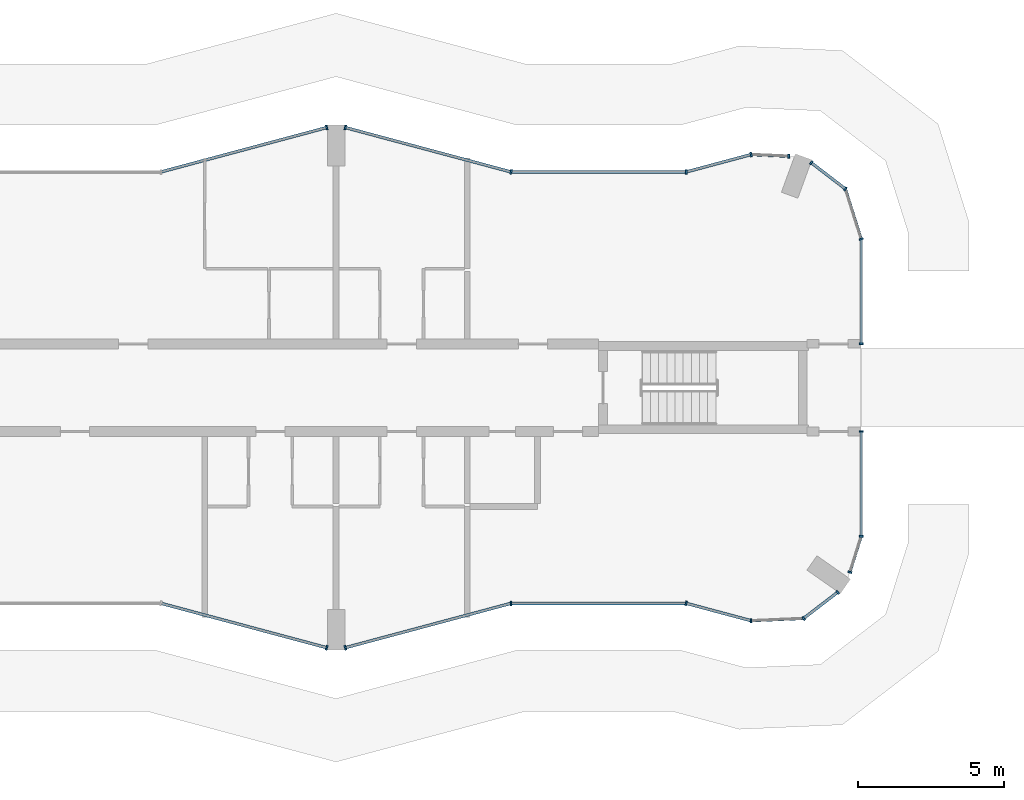
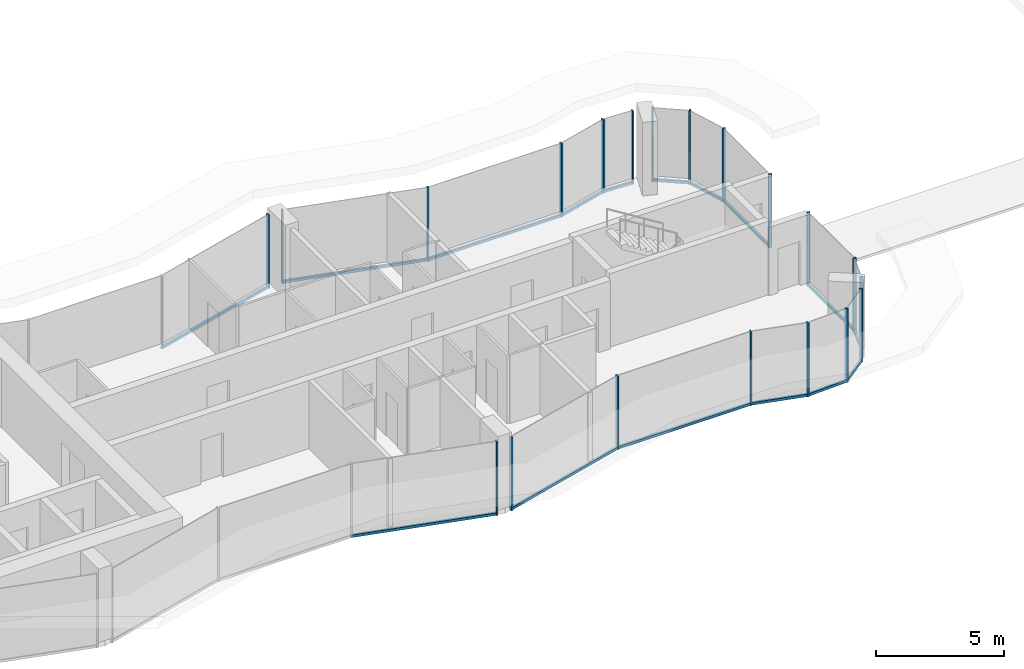
# One storey, part 5 of 24: 36 members, 16 elements without a shape of their own.
"""IFC4 building model written with IfcOpenShell, lengths in metres."""

from ifc_helpers import new_model, si_unit, direction, frame, origin, origin_2d, place, context, subcontext, project, spatial, rectangle, extrude, material, layer, layer_set, material_profile, profile_set, type_object, element, aggregate, save


model = new_model("IFC4")

# Units and contexts
model_context = context("Model", 3, precision=1e-05, world=origin(), true_north=direction((0.0, 1.0)))
body_context = subcontext(model_context, "Body", "Model", "MODEL_VIEW")
ifc_project = project(units=[si_unit("LENGTHUNIT", "METRE"), si_unit("AREAUNIT", "SQUARE_METRE"), si_unit("VOLUMEUNIT", "CUBIC_METRE"), si_unit("PLANEANGLEUNIT", "RADIAN"), si_unit("MASSUNIT", "GRAM", prefix="KILO")], contexts=[model_context])

# Site, building, storey
site_placement = place(None, origin())
site = spatial("IfcSite", under=ifc_project, at=site_placement, CompositionType="ELEMENT")
building_placement = place(site_placement, origin())
building = spatial("IfcBuilding", under=site, at=building_placement, Name="Plateau Cross Towers", CompositionType="ELEMENT")
storey_placement = place(building_placement, frame((0.0, 0.0, 30.300048828125)))
storey = spatial("IfcBuildingStorey", under=building, at=storey_placement, Name="L06", CompositionType="ELEMENT", Elevation=30.300048828125)

# Curtain wall, member
ifc_material_1 = material(Name="Dark low-iron glass", Category="glass")
ifc_layer_1 = layer(ifc_material_1, 0.239990234375)
ifc_layer_set_1 = layer_set([ifc_layer_1], Name="Dark low-iron glass")
curtain_wall_type_1 = type_object("IfcCurtainWallType", Name="Curtain wall flush unitised CW-B", PredefinedType="NOTDEFINED", material=ifc_layer_set_1)
curtain_wall_1_placement = place(storey_placement, origin())
curtain_wall_1 = element("IfcCurtainWall", 1, at=curtain_wall_1_placement, inside=storey, type_object=curtain_wall_type_1, Name="ENV/A/L06/A502_10", PredefinedType="NOTDEFINED")
ifc_material_2 = material(Name="Black anodised aluminium", Category="aluminium")
ifc_material_profile_1 = material_profile(ifc_material_2, rectangle(XDim=0.06005859375, YDim=0.139892578125, at=origin_2d()), Name="MULLION 60x140")
ifc_profile_set_1 = profile_set([ifc_material_profile_1], Name="Black anodised aluminium")
member_type_1 = type_object("IfcMemberType", Name="Mullion 60x140 flush unitised", PredefinedType="MULLION", material=ifc_profile_set_1)
member_1_placement = place(storey_placement, frame((50.223876953125, 1.01123046875, -0.25), z_axis=(0.0, 0.0, 1.0), x_axis=(0.999043701491, 0.043722791671, 0.0)))
member_1 = element("IfcMember", 2, at=member_1_placement, type_object=member_type_1, Name="CW-B mullion 1", PredefinedType="MULLION", context=body_context, shape_type="SweptSolid", body=[
    extrude(rectangle(XDim=0.06005859375, YDim=0.139892578125, at=origin_2d()), origin(), (0.0, 0.0, 1.0), 3.5),
])

# Curtain wall, members
curtain_wall_2_placement = place(storey_placement, origin())
curtain_wall_2 = element("IfcCurtainWall", 3, at=curtain_wall_2_placement, inside=storey, type_object=curtain_wall_type_1, Name="ENV/A/L06/A520_11", PredefinedType="NOTDEFINED")
member_2_placement = place(storey_placement, frame((52.0263671875, 1.090087890625, -0.25), z_axis=(0.0, 0.0, 1.0), x_axis=(0.793315514529, 0.608810721331, 0.0)))
member_2 = element("IfcMember", 4, at=member_2_placement, type_object=member_type_1, Name="CW-B mullion 1", PredefinedType="MULLION", context=body_context, shape_type="SweptSolid", body=[
    extrude(rectangle(XDim=0.06005859375, YDim=0.139892578125, at=origin_2d()), origin(), (0.0, 0.0, 1.0), 3.5),
])
member_3_placement = place(storey_placement, frame((53.193603515625, 1.986083984375, -0.25), z_axis=(0.0, 0.0, 1.0), x_axis=(0.793315514529, 0.608810721331, 0.0)))
member_3 = element("IfcMember", 5, at=member_3_placement, type_object=member_type_1, Name="CW-B mullion 2", PredefinedType="MULLION", context=body_context, shape_type="SweptSolid", body=[
    extrude(rectangle(XDim=0.06005859375, YDim=0.139892578125, at=origin_2d()), origin(), (0.0, 0.0, 1.0), 3.5),
])

# Curtain wall, member
curtain_wall_3_placement = place(storey_placement, origin())
curtain_wall_3 = element("IfcCurtainWall", 6, at=curtain_wall_3_placement, inside=storey, type_object=curtain_wall_type_1, Name="ENV/A/L06/A536_27", PredefinedType="NOTDEFINED")
member_4_placement = place(storey_placement, frame((53.611083984375, 2.67529296875, -0.25), z_axis=(0.0, 0.0, 1.0), x_axis=(0.300686174994, 0.95372313811, 0.0)))
member_4 = element("IfcMember", 7, at=member_4_placement, type_object=member_type_1, Name="CW-B mullion 1", PredefinedType="MULLION", context=body_context, shape_type="SweptSolid", body=[
    extrude(rectangle(XDim=0.06005859375, YDim=0.139892578125, at=origin_2d()), origin(), (0.0, 0.0, 1.0), 3.5),
])

# Curtain wall, members
curtain_wall_4_placement = place(storey_placement, origin())
curtain_wall_4 = element("IfcCurtainWall", 8, at=curtain_wall_4_placement, inside=storey, type_object=curtain_wall_type_1, Name="ENV/A/L06/A540_39", PredefinedType="NOTDEFINED")
member_5_placement = place(storey_placement, frame((54.0, 3.9091796875, -0.25), z_axis=(0.0, 0.0, 1.0), x_axis=(0.0, 1.0, 0.0)))
member_5 = element("IfcMember", 9, at=member_5_placement, type_object=member_type_1, Name="CW-B mullion 1", PredefinedType="MULLION", context=body_context, shape_type="SweptSolid", body=[
    extrude(rectangle(XDim=0.06005859375, YDim=0.139892578125, at=origin_2d()), origin(), (0.0, 0.0, 1.0), 3.5),
])
member_6_placement = place(storey_placement, frame((54.0, 7.5, -0.25), z_axis=(0.0, 0.0, 1.0), x_axis=(0.0, 1.0, 0.0)))
member_6 = element("IfcMember", 10, at=member_6_placement, type_object=member_type_1, Name="CW-B mullion 2", PredefinedType="MULLION", context=body_context, shape_type="SweptSolid", body=[
    extrude(rectangle(XDim=0.06005859375, YDim=0.139892578125, at=origin_2d()), origin(), (0.0, 0.0, 1.0), 3.5),
])

# Curtain wall, member
curtain_wall_5_placement = place(storey_placement, origin())
curtain_wall_5 = element("IfcCurtainWall", 11, at=curtain_wall_5_placement, inside=storey, type_object=curtain_wall_type_1, Name="ENV/A/L06/A540_105", PredefinedType="NOTDEFINED")
member_7_placement = place(storey_placement, frame((54.0, 10.5, -0.25), z_axis=(0.0, 0.0, 1.0), x_axis=(0.0, 1.0, 0.0)))
member_7 = element("IfcMember", 12, at=member_7_placement, type_object=member_type_1, Name="CW-B mullion 1", PredefinedType="MULLION", context=body_context, shape_type="SweptSolid", body=[
    extrude(rectangle(XDim=0.06005859375, YDim=0.139892578125, at=origin_2d()), origin(), (0.0, 0.0, 1.0), 3.5),
])

curtain_wall_6_placement = place(storey_placement, origin())
curtain_wall_6 = element("IfcCurtainWall", 13, at=curtain_wall_6_placement, inside=storey, type_object=curtain_wall_type_1, Name="ENV/A/L06/A540_141", PredefinedType="NOTDEFINED")
member_8_placement = place(storey_placement, frame((54.0, 14.0908203125, -0.25), z_axis=(0.0, 0.0, 1.0), x_axis=(-0.300686174994, 0.95372313811, 0.0)))
member_8 = element("IfcMember", 14, at=member_8_placement, type_object=member_type_1, Name="CW-B mullion 1", PredefinedType="MULLION", context=body_context, shape_type="SweptSolid", body=[
    extrude(rectangle(XDim=0.06005859375, YDim=0.139892578125, at=origin_2d()), origin(), (0.0, 0.0, 1.0), 3.5),
])

# Curtain wall, members
curtain_wall_7_placement = place(storey_placement, origin())
curtain_wall_7 = element("IfcCurtainWall", 15, at=curtain_wall_7_placement, inside=storey, type_object=curtain_wall_type_1, Name="ENV/A/L06/A535_158", PredefinedType="NOTDEFINED")
member_9_placement = place(storey_placement, frame((53.45751953125, 15.8115234375, -0.25), z_axis=(0.0, 0.0, 1.0), x_axis=(-0.793315514529, 0.608810721331, 0.0)))
member_9 = element("IfcMember", 16, at=member_9_placement, type_object=member_type_1, Name="CW-B mullion 1", PredefinedType="MULLION", context=body_context, shape_type="SweptSolid", body=[
    extrude(rectangle(XDim=0.06005859375, YDim=0.139892578125, at=origin_2d()), origin(), (0.0, 0.0, 1.0), 3.5),
])
member_10_placement = place(storey_placement, frame((52.290283203125, 16.707275390625, -0.25), z_axis=(0.0, 0.0, 1.0), x_axis=(-0.793315514529, 0.608810721331, 0.0)))
member_10 = element("IfcMember", 17, at=member_10_placement, type_object=member_type_1, Name="CW-B mullion 2", PredefinedType="MULLION", context=body_context, shape_type="SweptSolid", body=[
    extrude(rectangle(XDim=0.06005859375, YDim=0.139892578125, at=origin_2d()), origin(), (0.0, 0.0, 1.0), 3.5),
])

# Curtain wall, member
curtain_wall_8_placement = place(storey_placement, origin())
curtain_wall_8 = element("IfcCurtainWall", 18, at=curtain_wall_8_placement, inside=storey, type_object=curtain_wall_type_1, Name="ENV/A/L06/A515_169", PredefinedType="NOTDEFINED")
member_11_placement = place(storey_placement, frame((51.516357421875, 16.93212890625, -0.25), z_axis=(0.0, 0.0, 1.0), x_axis=(-0.999043701491, 0.043722791671, 0.0)))
member_11 = element("IfcMember", 19, at=member_11_placement, type_object=member_type_1, Name="CW-B mullion 1", PredefinedType="MULLION", context=body_context, shape_type="SweptSolid", body=[
    extrude(rectangle(XDim=0.06005859375, YDim=0.139892578125, at=origin_2d()), origin(), (0.0, 0.0, 1.0), 3.5),
])

ifc_layer_2 = layer(ifc_material_1, 0.260009765625)
ifc_layer_set_2 = layer_set([ifc_layer_2], Name="Dark low-iron glass")
curtain_wall_type_2 = type_object("IfcCurtainWallType", Name="Curtain wall fluted unitised CW-A", PredefinedType="NOTDEFINED", material=ifc_layer_set_2)
curtain_wall_9_placement = place(storey_placement, origin())
curtain_wall_9 = element("IfcCurtainWall", 20, at=curtain_wall_9_placement, inside=storey, type_object=curtain_wall_type_2, Name="ENV/A/L06/A300_16", PredefinedType="NOTDEFINED")
ifc_material_profile_2 = material_profile(ifc_material_2, rectangle(XDim=0.06005859375, YDim=0.159912109375, at=origin_2d()), Name="MULLION 60x160")
ifc_profile_set_2 = profile_set([ifc_material_profile_2], Name="Black anodised aluminium")
member_type_2 = type_object("IfcMemberType", Name="Mullion 60x160 fluted unitised", PredefinedType="MULLION", material=ifc_profile_set_2)
member_12_placement = place(storey_placement, frame((35.68212890625, 0.085205078125, -0.25), z_axis=(0.0, 0.0, 1.0), x_axis=(0.965957983404, -0.258699003279, 0.0)))
member_12 = element("IfcMember", 21, at=member_12_placement, type_object=member_type_2, Name="CW-A mullion 2", PredefinedType="MULLION", context=body_context, shape_type="SweptSolid", body=[
    extrude(rectangle(XDim=0.06005859375, YDim=0.159912109375, at=origin_2d()), origin(), (0.0, 0.0, 1.0), 3.5),
])

curtain_wall_10_placement = place(storey_placement, origin())
curtain_wall_10 = element("IfcCurtainWall", 22, at=curtain_wall_10_placement, inside=storey, type_object=curtain_wall_type_2, Name="ENV/A/L06/A363_1", PredefinedType="NOTDEFINED")
member_13_placement = place(storey_placement, frame((36.31787109375, 0.085205078125, -0.25), z_axis=(0.0, 0.0, 1.0), x_axis=(0.965957983404, 0.258699003279, 0.0)))
member_13 = element("IfcMember", 23, at=member_13_placement, type_object=member_type_2, Name="CW-A mullion 1", PredefinedType="MULLION", context=body_context, shape_type="SweptSolid", body=[
    extrude(rectangle(XDim=0.06005859375, YDim=0.159912109375, at=origin_2d()), origin(), (0.0, 0.0, 1.0), 3.5),
])

curtain_wall_11_placement = place(storey_placement, origin())
curtain_wall_11 = element("IfcCurtainWall", 24, at=curtain_wall_11_placement, inside=storey, type_object=curtain_wall_type_2, Name="ENV/A/L06/A420_16", PredefinedType="NOTDEFINED")
member_14_placement = place(storey_placement, frame((42.0, 1.60693359375, -0.25), z_axis=(0.0, 0.0, 1.0), x_axis=(1.0, 0.0, 0.0)))
member_14 = element("IfcMember", 25, at=member_14_placement, type_object=member_type_2, Name="CW-A mullion 1", PredefinedType="MULLION", context=body_context, shape_type="SweptSolid", body=[
    extrude(rectangle(XDim=0.06005859375, YDim=0.159912109375, at=origin_2d()), origin(), (0.0, 0.0, 1.0), 3.5),
])

curtain_wall_12_placement = place(storey_placement, origin())
curtain_wall_12 = element("IfcCurtainWall", 26, at=curtain_wall_12_placement, inside=storey, type_object=curtain_wall_type_2, Name="ENV/A/L06/A480_16", PredefinedType="NOTDEFINED")
member_15_placement = place(storey_placement, frame((48.0, 1.60693359375, -0.25), z_axis=(0.0, 0.0, 1.0), x_axis=(0.965957962328, -0.258699081978, 0.0)))
member_15 = element("IfcMember", 27, at=member_15_placement, type_object=member_type_2, Name="CW-A mullion 1", PredefinedType="MULLION", context=body_context, shape_type="SweptSolid", body=[
    extrude(rectangle(XDim=0.06005859375, YDim=0.159912109375, at=origin_2d()), origin(), (0.0, 0.0, 1.0), 3.5),
])

curtain_wall_13_placement = place(storey_placement, origin())
curtain_wall_13 = element("IfcCurtainWall", 28, at=curtain_wall_13_placement, inside=storey, type_object=curtain_wall_type_2, Name="ENV/A/L06/A502_170", PredefinedType="NOTDEFINED")
member_16_placement = place(storey_placement, frame((50.223876953125, 16.98876953125, -0.25), z_axis=(0.0, 0.0, 1.0), x_axis=(-0.965957962328, -0.258699081978, 0.0)))
member_16 = element("IfcMember", 29, at=member_16_placement, type_object=member_type_2, Name="CW-A mullion 1", PredefinedType="MULLION", context=body_context, shape_type="SweptSolid", body=[
    extrude(rectangle(XDim=0.06005859375, YDim=0.159912109375, at=origin_2d()), origin(), (0.0, 0.0, 1.0), 3.5),
])

curtain_wall_14_placement = place(storey_placement, origin())
curtain_wall_14 = element("IfcCurtainWall", 30, at=curtain_wall_14_placement, inside=storey, type_object=curtain_wall_type_2, Name="ENV/A/L06/A480_164", PredefinedType="NOTDEFINED")
member_17_placement = place(storey_placement, frame((48.0, 16.39306640625, -0.25), z_axis=(0.0, 0.0, 1.0), x_axis=(-1.0, 0.0, 0.0)))
member_17 = element("IfcMember", 31, at=member_17_placement, type_object=member_type_2, Name="CW-A mullion 1", PredefinedType="MULLION", context=body_context, shape_type="SweptSolid", body=[
    extrude(rectangle(XDim=0.06005859375, YDim=0.159912109375, at=origin_2d()), origin(), (0.0, 0.0, 1.0), 3.5),
])

# Curtain wall, members
curtain_wall_15_placement = place(storey_placement, origin())
curtain_wall_15 = element("IfcCurtainWall", 32, at=curtain_wall_15_placement, inside=storey, type_object=curtain_wall_type_2, Name="ENV/A/L06/A420_164", PredefinedType="NOTDEFINED")
member_18_placement = place(storey_placement, frame((42.0, 16.39306640625, -0.25), z_axis=(0.0, 0.0, 1.0), x_axis=(-0.965957983404, 0.258699003279, 0.0)))
member_18 = element("IfcMember", 33, at=member_18_placement, type_object=member_type_2, Name="CW-A mullion 1", PredefinedType="MULLION", context=body_context, shape_type="SweptSolid", body=[
    extrude(rectangle(XDim=0.06005859375, YDim=0.159912109375, at=origin_2d()), origin(), (0.0, 0.0, 1.0), 3.5),
])
member_19_placement = place(storey_placement, frame((36.31787109375, 17.914794921875, -0.25), z_axis=(0.0, 0.0, 1.0), x_axis=(-0.965957983404, 0.258699003279, 0.0)))
member_19 = element("IfcMember", 34, at=member_19_placement, type_object=member_type_2, Name="CW-A mullion 2", PredefinedType="MULLION", context=body_context, shape_type="SweptSolid", body=[
    extrude(rectangle(XDim=0.06005859375, YDim=0.159912109375, at=origin_2d()), origin(), (0.0, 0.0, 1.0), 3.5),
])

# Curtain wall, member
curtain_wall_16_placement = place(storey_placement, origin())
curtain_wall_16 = element("IfcCurtainWall", 35, at=curtain_wall_16_placement, inside=storey, type_object=curtain_wall_type_2, Name="ENV/A/L06/A357_179", PredefinedType="NOTDEFINED")
member_20_placement = place(storey_placement, frame((35.68212890625, 17.914794921875, -0.25), z_axis=(0.0, 0.0, 1.0), x_axis=(-0.965957983404, -0.258699003279, 0.0)))
member_20 = element("IfcMember", 36, at=member_20_placement, type_object=member_type_2, Name="CW-A mullion 1", PredefinedType="MULLION", context=body_context, shape_type="SweptSolid", body=[
    extrude(rectangle(XDim=0.06005859375, YDim=0.159912109375, at=origin_2d()), origin(), (0.0, 0.0, 1.0), 3.5),
])

# Member
ifc_material_profile_3 = material_profile(ifc_material_2, rectangle(XDim=0.10009765625, YDim=0.1201171875, at=origin_2d()), Name="TRANSOM 100x120")
ifc_profile_set_3 = profile_set([ifc_material_profile_3], Name="Black anodised aluminium")
member_type_3 = type_object("IfcMemberType", Name="Transom 100x120 flush unitised", PredefinedType="USERDEFINED", material=ifc_profile_set_3)
member_21_placement = place(storey_placement, frame((50.223876953125, 1.01123046875, -0.18994140625), z_axis=(0.999044377355, 0.043707345779, 0.0), x_axis=(-0.043707345779, 0.999044377355, 0.0)))
member_21 = element("IfcMember", 37, at=member_21_placement, type_object=member_type_3, Name="CW-B transom", ObjectType="TRANSOM", PredefinedType="USERDEFINED", context=body_context, shape_type="SweptSolid", body=[
    extrude(rectangle(XDim=0.10009765625, YDim=0.1201171875, at=origin_2d()), origin(), (0.0, 0.0, 1.0), 1.80419921875),
])

aggregate(curtain_wall_1, [member_1, member_21])

member_22_placement = place(storey_placement, frame((52.0263671875, 1.090087890625, -0.18994140625), z_axis=(0.793240368515, 0.608908628415, 0.0), x_axis=(-0.608908628415, 0.793240368515, 0.0)))
member_22 = element("IfcMember", 38, at=member_22_placement, type_object=member_type_3, Name="CW-B transom", ObjectType="TRANSOM", PredefinedType="USERDEFINED", context=body_context, shape_type="SweptSolid", body=[
    extrude(rectangle(XDim=0.10009765625, YDim=0.1201171875, at=origin_2d()), origin(), (0.0, 0.0, 1.0), 1.471435546875),
])

aggregate(curtain_wall_2, [member_2, member_3, member_22])

member_23_placement = place(storey_placement, frame((53.611083984375, 2.67529296875, -0.18994140625), z_axis=(0.300616528216, 0.953745093284, 0.0), x_axis=(-0.953745093284, 0.300616528216, 0.0)))
member_23 = element("IfcMember", 39, at=member_23_placement, type_object=member_type_3, Name="CW-B transom", ObjectType="TRANSOM", PredefinedType="USERDEFINED", context=body_context, shape_type="SweptSolid", body=[
    extrude(rectangle(XDim=0.10009765625, YDim=0.1201171875, at=origin_2d()), origin(), (0.0, 0.0, 1.0), 1.293701171875),
])

aggregate(curtain_wall_3, [member_4, member_23])

member_24_placement = place(storey_placement, frame((54.0, 3.9091796875, -0.18994140625), z_axis=(0.0, 1.0, 0.0), x_axis=(-1.0, 0.0, 0.0)))
member_24 = element("IfcMember", 40, at=member_24_placement, type_object=member_type_3, Name="CW-B transom", ObjectType="TRANSOM", PredefinedType="USERDEFINED", context=body_context, shape_type="SweptSolid", body=[
    extrude(rectangle(XDim=0.10009765625, YDim=0.1201171875, at=origin_2d()), origin(), (0.0, 0.0, 1.0), 3.5908203125),
])

aggregate(curtain_wall_4, [member_5, member_6, member_24])

member_25_placement = place(storey_placement, frame((54.0, 10.5, -0.18994140625), z_axis=(0.0, 1.0, 0.0), x_axis=(-1.0, 0.0, 0.0)))
member_25 = element("IfcMember", 41, at=member_25_placement, type_object=member_type_3, Name="CW-B transom", ObjectType="TRANSOM", PredefinedType="USERDEFINED", context=body_context, shape_type="SweptSolid", body=[
    extrude(rectangle(XDim=0.10009765625, YDim=0.1201171875, at=origin_2d()), origin(), (0.0, 0.0, 1.0), 3.5908203125),
])

aggregate(curtain_wall_5, [member_7, member_25])

member_26_placement = place(storey_placement, frame((54.0, 14.0908203125, -0.18994140625), z_axis=(-0.30067799945, 0.953725715626, 0.0), x_axis=(-0.953725715626, -0.30067799945, 0.0)))
member_26 = element("IfcMember", 42, at=member_26_placement, type_object=member_type_3, Name="CW-B transom", ObjectType="TRANSOM", PredefinedType="USERDEFINED", context=body_context, shape_type="SweptSolid", body=[
    extrude(rectangle(XDim=0.10009765625, YDim=0.1201171875, at=origin_2d()), origin(), (0.0, 0.0, 1.0), 1.80419921875),
])

aggregate(curtain_wall_6, [member_8, member_26])

member_27_placement = place(storey_placement, frame((53.45751953125, 15.8115234375, -0.18994140625), z_axis=(-0.793320508571, 0.608804213751, 0.0), x_axis=(-0.608804213751, -0.793320508571, 0.0)))
member_27 = element("IfcMember", 43, at=member_27_placement, type_object=member_type_3, Name="CW-B transom", ObjectType="TRANSOM", PredefinedType="USERDEFINED", context=body_context, shape_type="SweptSolid", body=[
    extrude(rectangle(XDim=0.10009765625, YDim=0.1201171875, at=origin_2d()), origin(), (0.0, 0.0, 1.0), 1.471435546875),
])

aggregate(curtain_wall_7, [member_9, member_10, member_27])

member_28_placement = place(storey_placement, frame((51.516357421875, 16.93212890625, -0.18994140625), z_axis=(-0.999041144614, 0.043781175963, 0.0), x_axis=(-0.043781175963, -0.999041144614, 0.0)))
member_28 = element("IfcMember", 44, at=member_28_placement, type_object=member_type_3, Name="CW-B transom", ObjectType="TRANSOM", PredefinedType="USERDEFINED", context=body_context, shape_type="SweptSolid", body=[
    extrude(rectangle(XDim=0.10009765625, YDim=0.1201171875, at=origin_2d()), origin(), (0.0, 0.0, 1.0), 1.293701171875),
])

aggregate(curtain_wall_8, [member_11, member_28])

ifc_material_profile_4 = material_profile(ifc_material_2, rectangle(XDim=0.10009765625, YDim=0.1201171875, at=origin_2d()), Name="TRANSOM 100x120")
ifc_profile_set_4 = profile_set([ifc_material_profile_4], Name="Black anodised aluminium")
member_type_4 = type_object("IfcMemberType", Name="Transom 100x120 fluted unitised", PredefinedType="USERDEFINED", material=ifc_profile_set_4)
member_29_placement = place(storey_placement, frame((30.0, 1.60693359375, -0.18994140625), z_axis=(0.965959534794, -0.258693210465, 0.0), x_axis=(0.258693210465, 0.965959534794, 0.0)))
member_29 = element("IfcMember", 45, at=member_29_placement, type_object=member_type_4, Name="CW-A transom", ObjectType="TRANSOM", PredefinedType="USERDEFINED", context=body_context, shape_type="SweptSolid", body=[
    extrude(rectangle(XDim=0.10009765625, YDim=0.1201171875, at=origin_2d()), origin(), (0.0, 0.0, 1.0), 5.88232421875),
])

aggregate(curtain_wall_9, [member_12, member_29])

member_30_placement = place(storey_placement, frame((36.31787109375, 0.085205078125, -0.18994140625), z_axis=(0.965959534794, 0.258693210465, 0.0), x_axis=(-0.258693210465, 0.965959534794, 0.0)))
member_30 = element("IfcMember", 46, at=member_30_placement, type_object=member_type_4, Name="CW-A transom", ObjectType="TRANSOM", PredefinedType="USERDEFINED", context=body_context, shape_type="SweptSolid", body=[
    extrude(rectangle(XDim=0.10009765625, YDim=0.1201171875, at=origin_2d()), origin(), (0.0, 0.0, 1.0), 5.88232421875),
])

aggregate(curtain_wall_10, [member_13, member_30])

member_31_placement = place(storey_placement, frame((42.0, 1.60693359375, -0.18994140625), z_axis=(1.0, 0.0, 0.0), x_axis=(0.0, 1.0, 0.0)))
member_31 = element("IfcMember", 47, at=member_31_placement, type_object=member_type_4, Name="CW-A transom", ObjectType="TRANSOM", PredefinedType="USERDEFINED", context=body_context, shape_type="SweptSolid", body=[
    extrude(rectangle(XDim=0.10009765625, YDim=0.1201171875, at=origin_2d()), origin(), (0.0, 0.0, 1.0), 6.0),
])

aggregate(curtain_wall_11, [member_14, member_31])

member_32_placement = place(storey_placement, frame((48.0, 1.60693359375, -0.18994140625), z_axis=(0.965945685136, -0.258744919501, 0.0), x_axis=(0.258744919501, 0.965945685136, 0.0)))
member_32 = element("IfcMember", 48, at=member_32_placement, type_object=member_type_4, Name="CW-A transom", ObjectType="TRANSOM", PredefinedType="USERDEFINED", context=body_context, shape_type="SweptSolid", body=[
    extrude(rectangle(XDim=0.10009765625, YDim=0.1201171875, at=origin_2d()), origin(), (0.0, 0.0, 1.0), 2.30224609375),
])

aggregate(curtain_wall_12, [member_15, member_32])

member_33_placement = place(storey_placement, frame((50.223876953125, 16.98876953125, -0.18994140625), z_axis=(-0.965945685136, -0.258744919501, 0.0), x_axis=(0.258744919501, -0.965945685136, 0.0)))
member_33 = element("IfcMember", 49, at=member_33_placement, type_object=member_type_4, Name="CW-A transom", ObjectType="TRANSOM", PredefinedType="USERDEFINED", context=body_context, shape_type="SweptSolid", body=[
    extrude(rectangle(XDim=0.10009765625, YDim=0.1201171875, at=origin_2d()), origin(), (0.0, 0.0, 1.0), 2.30224609375),
])

aggregate(curtain_wall_13, [member_16, member_33])

member_34_placement = place(storey_placement, frame((48.0, 16.39306640625, -0.18994140625), z_axis=(-1.0, 0.0, 0.0), x_axis=(0.0, -1.0, 0.0)))
member_34 = element("IfcMember", 50, at=member_34_placement, type_object=member_type_4, Name="CW-A transom", ObjectType="TRANSOM", PredefinedType="USERDEFINED", context=body_context, shape_type="SweptSolid", body=[
    extrude(rectangle(XDim=0.10009765625, YDim=0.1201171875, at=origin_2d()), origin(), (0.0, 0.0, 1.0), 6.0),
])

aggregate(curtain_wall_14, [member_17, member_34])

member_35_placement = place(storey_placement, frame((42.0, 16.39306640625, -0.18994140625), z_axis=(-0.965959534794, 0.258693210465, 0.0), x_axis=(-0.258693210465, -0.965959534794, 0.0)))
member_35 = element("IfcMember", 51, at=member_35_placement, type_object=member_type_4, Name="CW-A transom", ObjectType="TRANSOM", PredefinedType="USERDEFINED", context=body_context, shape_type="SweptSolid", body=[
    extrude(rectangle(XDim=0.10009765625, YDim=0.1201171875, at=origin_2d()), origin(), (0.0, 0.0, 1.0), 5.88232421875),
])

aggregate(curtain_wall_15, [member_18, member_19, member_35])

member_36_placement = place(storey_placement, frame((35.68212890625, 17.914794921875, -0.18994140625), z_axis=(-0.965959534794, -0.258693210465, 0.0), x_axis=(0.258693210465, -0.965959534794, 0.0)))
member_36 = element("IfcMember", 52, at=member_36_placement, type_object=member_type_4, Name="CW-A transom", ObjectType="TRANSOM", PredefinedType="USERDEFINED", context=body_context, shape_type="SweptSolid", body=[
    extrude(rectangle(XDim=0.10009765625, YDim=0.1201171875, at=origin_2d()), origin(), (0.0, 0.0, 1.0), 5.88232421875),
])

aggregate(curtain_wall_16, [member_20, member_36])

save(model, "model.ifc")
